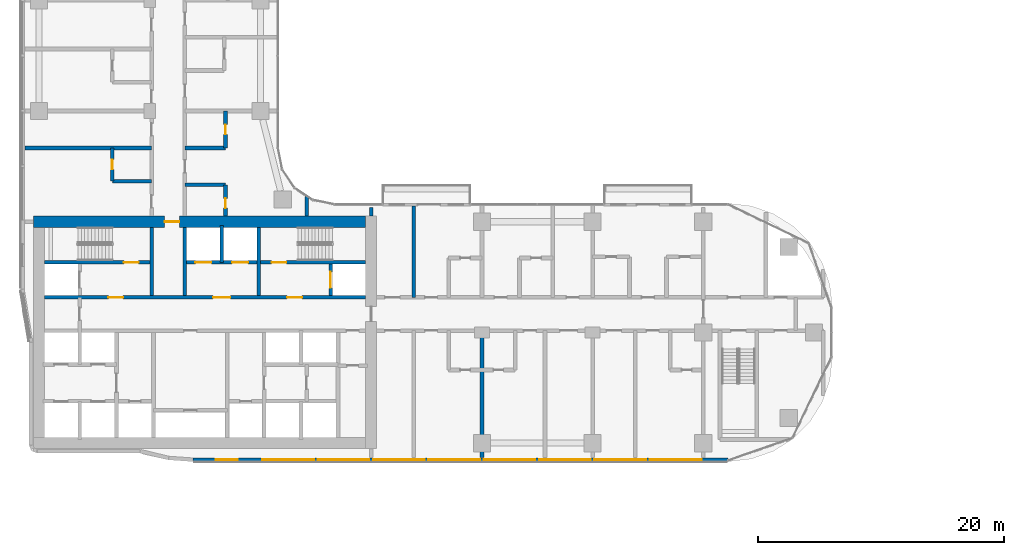
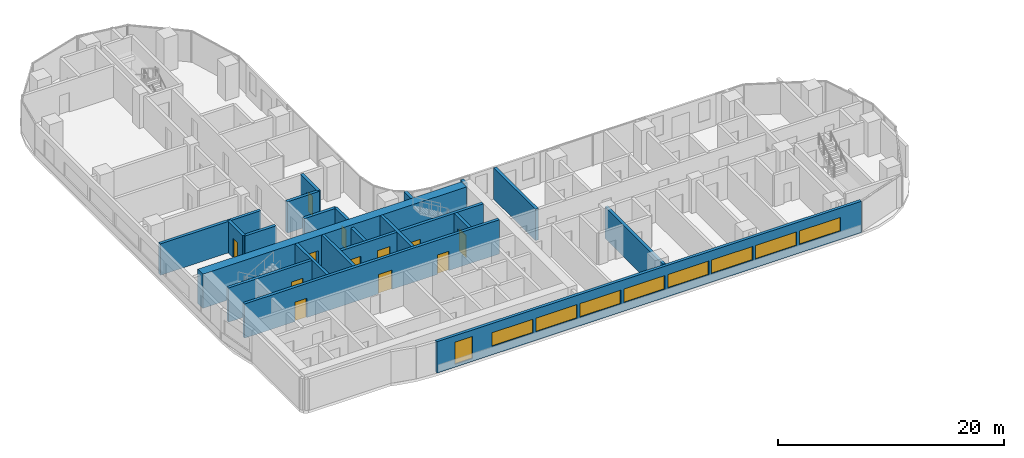
# One storey, part 15 of 31: 21 walls, 12 doors, 9 windows, 21 openings.
"""IFC4 building model written with IfcOpenShell, lengths in metres."""

from ifc_helpers import new_model, si_unit, direction, frame, frame_2d, origin, place, context, subcontext, project, spatial, rectangle, extrude, material, layer, layer_set, type_object, element, fill, save


model = new_model("IFC4")

# Units and contexts
model_context = context("Model", 3, precision=1e-05, world=origin(), true_north=direction((0.0, 1.0)))
body_context = subcontext(model_context, "Body", "Model", "MODEL_VIEW")
ifc_project = project(units=[si_unit("LENGTHUNIT", "METRE"), si_unit("AREAUNIT", "SQUARE_METRE"), si_unit("VOLUMEUNIT", "CUBIC_METRE"), si_unit("PLANEANGLEUNIT", "RADIAN"), si_unit("MASSUNIT", "GRAM", prefix="KILO")], contexts=[model_context])

# Site, building, storey
site_placement = place(None, origin())
site = spatial("IfcSite", under=ifc_project, at=site_placement, CompositionType="ELEMENT")
building_placement = place(site_placement, origin())
building = spatial("IfcBuilding", under=site, at=building_placement, Name="Ogive Portal Towers", CompositionType="ELEMENT")
storey_placement = place(building_placement, frame((0.0, 0.0, 74.199951171875)))
storey = spatial("IfcBuildingStorey", under=building, at=storey_placement, Name="L17", CompositionType="ELEMENT", Elevation=74.199951171875)

# Wall, openings, doors
ifc_material_1 = material(Name="Concrete C60/75", Category="concrete")
ifc_layer_1 = layer(ifc_material_1, 0.300048828125)
ifc_layer_set_1 = layer_set([ifc_layer_1], Name="CORE WALL 300 C60")
wall_type_1 = type_object("IfcWallType", Name="CORE WALL 300 C60", PredefinedType="SHEAR", material=ifc_layer_set_1)
wall_1_placement = place(storey_placement, frame((31.949951171875, 33.35009765625, 0.0), z_axis=(0.0, 0.0, 1.0), x_axis=(1.0, 0.0, 0.0)))
wall_1 = element("IfcWall", 1, at=wall_1_placement, inside=storey, type_object=wall_type_1, Name="Core wall Y2 L17", PredefinedType="SHEAR", context=body_context, shape_type="SweptSolid", body=[
    extrude(rectangle(XDim=26.10009765625, YDim=0.300048828125, at=frame_2d((13.050048828125, 0.0))), origin(), (0.0, 0.0, 1.0), 3.699951171875),
])
opening_1_placement = place(wall_1_placement, frame((13.699951171875, 0.0, 0.0)))
opening_1 = element("IfcOpeningElement", 2, at=opening_1_placement, cuts=wall_1, Name="Opening D05-002", PredefinedType="OPENING", context=body_context, shape_type="SweptSolid", body=[
    extrude(rectangle(XDim=1.39990234375, YDim=2.10009765625, at=frame_2d((0.699951171875, 1.050048828125))), frame((0.0, 0.16015625, 0.0), z_axis=(0.0, -1.0, 0.0), x_axis=(1.0, 0.0, 0.0)), (0.0, 0.0, 1.0), 0.320068359375),
])
opening_2_placement = place(wall_1_placement, frame((5.175048828125, 0.0, 0.0)))
opening_2 = element("IfcOpeningElement", 3, at=opening_2_placement, cuts=wall_1, Name="Opening D05-003", PredefinedType="OPENING", context=body_context, shape_type="SweptSolid", body=[
    extrude(rectangle(XDim=1.199951171875, YDim=2.10009765625, at=frame_2d((0.60009765625, 1.050048828125))), frame((0.0, 0.16015625, 0.0), z_axis=(0.0, -1.0, 0.0), x_axis=(1.0, 0.0, 0.0)), (0.0, 0.0, 1.0), 0.320068359375),
])
opening_3_placement = place(wall_1_placement, frame((19.72509765625, 0.0, 0.0)))
opening_3 = element("IfcOpeningElement", 4, at=opening_3_placement, cuts=wall_1, Name="Opening D05-004", PredefinedType="OPENING", context=body_context, shape_type="SweptSolid", body=[
    extrude(rectangle(XDim=1.199951171875, YDim=2.10009765625, at=frame_2d((0.60009765625, 1.050048828125))), frame((0.0, 0.16015625, 0.0), z_axis=(0.0, -1.0, 0.0), x_axis=(1.0, 0.0, 0.0)), (0.0, 0.0, 1.0), 0.320068359375),
])
ifc_material_2 = material(Name="Steel fire door", Category="steel")
door_type_1 = type_object("IfcDoorType", Name="DT-SWING-1200x2100-FD90S", OperationType="SINGLE_SWING_LEFT", PredefinedType="DOOR", material=ifc_material_2)
door_1_placement = place(opening_2_placement, origin())
door_1 = element("IfcDoor", 5, at=door_1_placement, inside=storey, type_object=door_type_1, Name="Door D05-003", OperationType="SINGLE_SWING_LEFT", OverallHeight=2.10009765625, OverallWidth=1.199951171875, PredefinedType="DOOR", context=body_context, shape_type="SweptSolid", body=[
    extrude(rectangle(XDim=1.199951171875, YDim=2.10009765625, at=frame_2d((0.60009765625, 1.050048828125))), frame((0.0, 0.02490234375, 0.0), z_axis=(0.0, -1.0, 0.0), x_axis=(1.0, 0.0, 0.0)), (0.0, 0.0, 1.0), 0.050048828125),
])
fill(opening_2, door_1)
door_2_placement = place(opening_3_placement, origin())
door_2 = element("IfcDoor", 6, at=door_2_placement, inside=storey, type_object=door_type_1, Name="Door D05-004", OperationType="SINGLE_SWING_RIGHT", OverallHeight=2.10009765625, OverallWidth=1.199951171875, PredefinedType="DOOR", context=body_context, shape_type="SweptSolid", body=[
    extrude(rectangle(XDim=1.199951171875, YDim=2.10009765625, at=frame_2d((0.60009765625, 1.050048828125))), frame((0.0, 0.02490234375, 0.0), z_axis=(0.0, -1.0, 0.0), x_axis=(1.0, 0.0, 0.0)), (0.0, 0.0, 1.0), 0.050048828125),
])
fill(opening_3, door_2)
door_type_2 = type_object("IfcDoorType", Name="DT-SWING-1400x2100-FD90S", OperationType="SINGLE_SWING_LEFT", PredefinedType="DOOR", material=ifc_material_2)
door_3_placement = place(opening_1_placement, origin())
door_3 = element("IfcDoor", 7, at=door_3_placement, inside=storey, type_object=door_type_2, Name="Door D05-002", OperationType="SINGLE_SWING_RIGHT", OverallHeight=2.10009765625, OverallWidth=1.39990234375, PredefinedType="DOOR", context=body_context, shape_type="SweptSolid", body=[
    extrude(rectangle(XDim=1.39990234375, YDim=2.10009765625, at=frame_2d((0.699951171875, 1.050048828125))), frame((0.0, 0.02490234375, 0.0), z_axis=(0.0, -1.0, 0.0), x_axis=(1.0, 0.0, 0.0)), (0.0, 0.0, 1.0), 0.050048828125),
])
fill(opening_1, door_3)

# Wall, opening, door
wall_2_placement = place(storey_placement, frame((31.949951171875, 36.199951171875, 0.0), z_axis=(0.0, 0.0, 1.0), x_axis=(1.0, 0.0, 0.0)))
wall_2 = element("IfcWall", 8, at=wall_2_placement, inside=storey, type_object=wall_type_1, Name="Core wall Y3a L17", PredefinedType="SHEAR", context=body_context, shape_type="SweptSolid", body=[
    extrude(rectangle(XDim=8.550048828125, YDim=0.300048828125, at=frame_2d((4.27490234375, 0.0))), origin(), (0.0, 0.0, 1.0), 3.699951171875),
])
opening_4_placement = place(wall_2_placement, frame((6.449951171875, 0.0, 0.0)))
opening_4 = element("IfcOpeningElement", 9, at=opening_4_placement, cuts=wall_2, Name="Opening D05-005", PredefinedType="OPENING", context=body_context, shape_type="SweptSolid", body=[
    extrude(rectangle(XDim=1.199951171875, YDim=2.10009765625, at=frame_2d((0.60009765625, 1.050048828125))), frame((0.0, 0.16015625, 0.0), z_axis=(0.0, -1.0, 0.0), x_axis=(1.0, 0.0, 0.0)), (0.0, 0.0, 1.0), 0.320068359375),
])
door_4_placement = place(opening_4_placement, origin())
door_4 = element("IfcDoor", 10, at=door_4_placement, inside=storey, type_object=door_type_1, Name="Door D05-005", OperationType="SINGLE_SWING_RIGHT", OverallHeight=2.10009765625, OverallWidth=1.199951171875, PredefinedType="DOOR", context=body_context, shape_type="SweptSolid", body=[
    extrude(rectangle(XDim=1.199951171875, YDim=2.10009765625, at=frame_2d((0.60009765625, 1.050048828125))), frame((0.0, 0.02490234375, 0.0), z_axis=(0.0, -1.0, 0.0), x_axis=(1.0, 0.0, 0.0)), (0.0, 0.0, 1.0), 0.050048828125),
])
fill(opening_4, door_4)

# Wall, openings, doors
wall_3_placement = place(storey_placement, frame((43.5, 36.199951171875, 0.0), z_axis=(0.0, 0.0, 1.0), x_axis=(1.0, 0.0, 0.0)))
wall_3 = element("IfcWall", 11, at=wall_3_placement, inside=storey, type_object=wall_type_1, Name="Core wall Y3b L17", PredefinedType="SHEAR", context=body_context, shape_type="SweptSolid", body=[
    extrude(rectangle(XDim=14.550048828125, YDim=0.300048828125, at=frame_2d((7.27490234375, 0.0))), origin(), (0.0, 0.0, 1.0), 3.699951171875),
])
opening_5_placement = place(wall_3_placement, frame((6.89990234375, 0.0, 0.0)))
opening_5 = element("IfcOpeningElement", 12, at=opening_5_placement, cuts=wall_3, Name="Opening D05-006", PredefinedType="OPENING", context=body_context, shape_type="SweptSolid", body=[
    extrude(rectangle(XDim=1.199951171875, YDim=2.10009765625, at=frame_2d((0.60009765625, 1.050048828125))), frame((0.0, 0.16015625, 0.0), z_axis=(0.0, -1.0, 0.0), x_axis=(1.0, 0.0, 0.0)), (0.0, 0.0, 1.0), 0.320068359375),
])
opening_6_placement = place(wall_3_placement, frame((0.699951171875, 0.0, 0.0)))
opening_6 = element("IfcOpeningElement", 13, at=opening_6_placement, cuts=wall_3, Name="Opening D05-017", PredefinedType="OPENING", context=body_context, shape_type="SweptSolid", body=[
    extrude(rectangle(XDim=1.300048828125, YDim=2.39990234375, at=frame_2d((0.64990234375, 1.199951171875))), frame((0.0, 0.16015625, 0.0), z_axis=(0.0, -1.0, 0.0), x_axis=(1.0, 0.0, 0.0)), (0.0, 0.0, 1.0), 0.320068359375),
])
opening_7_placement = place(wall_3_placement, frame((3.699951171875, 0.0, 0.0)))
opening_7 = element("IfcOpeningElement", 14, at=opening_7_placement, cuts=wall_3, Name="Opening D05-018", PredefinedType="OPENING", context=body_context, shape_type="SweptSolid", body=[
    extrude(rectangle(XDim=1.300048828125, YDim=2.39990234375, at=frame_2d((0.64990234375, 1.199951171875))), frame((0.0, 0.16015625, 0.0), z_axis=(0.0, -1.0, 0.0), x_axis=(1.0, 0.0, 0.0)), (0.0, 0.0, 1.0), 0.320068359375),
])
ifc_material_3 = material(Name="Stainless steel", Category="steel")
door_type_3 = type_object("IfcDoorType", Name="DT-LD-1300x2400", OperationType="SLIDING_TO_LEFT", PredefinedType="DOOR", material=ifc_material_3)
door_5_placement = place(opening_6_placement, origin())
door_5 = element("IfcDoor", 15, at=door_5_placement, inside=storey, type_object=door_type_3, Name="Door D05-017", OperationType="SLIDING_TO_LEFT", OverallHeight=2.39990234375, OverallWidth=1.300048828125, PredefinedType="DOOR", context=body_context, shape_type="SweptSolid", body=[
    extrude(rectangle(XDim=1.300048828125, YDim=2.39990234375, at=frame_2d((0.64990234375, 1.199951171875))), frame((0.0, 0.02490234375, 0.0), z_axis=(0.0, -1.0, 0.0), x_axis=(1.0, 0.0, 0.0)), (0.0, 0.0, 1.0), 0.050048828125),
])
fill(opening_6, door_5)
door_6_placement = place(opening_7_placement, origin())
door_6 = element("IfcDoor", 16, at=door_6_placement, inside=storey, type_object=door_type_3, Name="Door D05-018", OperationType="SLIDING_TO_LEFT", OverallHeight=2.39990234375, OverallWidth=1.300048828125, PredefinedType="DOOR", context=body_context, shape_type="SweptSolid", body=[
    extrude(rectangle(XDim=1.300048828125, YDim=2.39990234375, at=frame_2d((0.64990234375, 1.199951171875))), frame((0.0, 0.02490234375, 0.0), z_axis=(0.0, -1.0, 0.0), x_axis=(1.0, 0.0, 0.0)), (0.0, 0.0, 1.0), 0.050048828125),
])
fill(opening_7, door_6)
door_7_placement = place(opening_5_placement, origin())
door_7 = element("IfcDoor", 17, at=door_7_placement, inside=storey, type_object=door_type_1, Name="Door D05-006", OperationType="SINGLE_SWING_LEFT", OverallHeight=2.10009765625, OverallWidth=1.199951171875, PredefinedType="DOOR", context=body_context, shape_type="SweptSolid", body=[
    extrude(rectangle(XDim=1.199951171875, YDim=2.10009765625, at=frame_2d((0.60009765625, 1.050048828125))), frame((0.0, 0.02490234375, 0.0), z_axis=(0.0, -1.0, 0.0), x_axis=(1.0, 0.0, 0.0)), (0.0, 0.0, 1.0), 0.050048828125),
])
fill(opening_5, door_7)

# Walls
for number, where, z_axis, x_axis, name in (
    (18, (40.64990234375, 33.5, 0.0), (0.0, 0.0, 1.0), (0.0, 1.0, 0.0), "Core wall X6 L17"),
    (19, (43.35009765625, 33.5, 0.0), (0.0, 0.0, 1.0), (0.0, 1.0, 0.0), "Core wall X7 L17"),
    (20, (49.35009765625, 33.5, 0.0), (0.0, 0.0, 1.0), (0.0, 1.0, 0.0), "Core wall X9 L17"),
):
    element("IfcWall", number, at=place(storey_placement, frame(where, z_axis=z_axis, x_axis=x_axis)), inside=storey, type_object=wall_type_1, Name=name, PredefinedType="SHEAR", context=body_context, shape_type="SweptSolid", body=[
        extrude(rectangle(XDim=5.550048828125, YDim=0.300048828125, at=frame_2d((2.77490234375, 0.0))), origin(), (0.0, 0.0, 1.0), 3.699951171875),
    ])

# Wall, opening, door
wall_4_placement = place(storey_placement, frame((55.199951171875, 33.5, 0.0), z_axis=(0.0, 0.0, 1.0), x_axis=(0.0, 1.0, 0.0)))
wall_4 = element("IfcWall", 21, at=wall_4_placement, inside=storey, type_object=wall_type_1, Name="Core wall X10 L17", PredefinedType="SHEAR", context=body_context, shape_type="SweptSolid", body=[
    extrude(rectangle(XDim=2.550048828125, YDim=0.300048828125, at=frame_2d((1.27490234375, 0.0))), origin(), (0.0, 0.0, 1.0), 3.699951171875),
])
opening_8_placement = place(wall_4_placement, frame((0.625, 0.0, 0.0)))
opening_8 = element("IfcOpeningElement", 22, at=opening_8_placement, cuts=wall_4, Name="Opening D05-020", PredefinedType="OPENING", context=body_context, shape_type="SweptSolid", body=[
    extrude(rectangle(XDim=1.300048828125, YDim=2.39990234375, at=frame_2d((0.64990234375, 1.199951171875))), frame((0.0, 0.16015625, 0.0), z_axis=(0.0, -1.0, 0.0), x_axis=(1.0, 0.0, 0.0)), (0.0, 0.0, 1.0), 0.320068359375),
])
door_8_placement = place(opening_8_placement, origin())
door_8 = element("IfcDoor", 23, at=door_8_placement, inside=storey, type_object=door_type_3, Name="Door D05-020", OperationType="SLIDING_TO_LEFT", OverallHeight=2.39990234375, OverallWidth=1.300048828125, PredefinedType="DOOR", context=body_context, shape_type="SweptSolid", body=[
    extrude(rectangle(XDim=1.300048828125, YDim=2.39990234375, at=frame_2d((0.64990234375, 1.199951171875))), frame((0.0, 0.02490234375, 0.0), z_axis=(0.0, -1.0, 0.0), x_axis=(1.0, 0.0, 0.0)), (0.0, 0.0, 1.0), 0.050048828125),
])
fill(opening_8, door_8)

ifc_layer_2 = layer(ifc_material_1, 0.89990234375)
ifc_layer_set_2 = layer_set([ifc_layer_2], Name="CORE WALL 900 C60")
wall_type_2 = type_object("IfcWallType", Name="CORE WALL 900 C60", PredefinedType="SHEAR", material=ifc_layer_set_2)
wall_5_placement = place(storey_placement, frame((31.050048828125, 39.5, 0.0), z_axis=(0.0, 0.0, 1.0), x_axis=(1.0, 0.0, 0.0)))
wall_5 = element("IfcWall", 24, at=wall_5_placement, inside=storey, type_object=wall_type_2, Name="Core wall N L17", PredefinedType="SHEAR", context=body_context, shape_type="SweptSolid", body=[
    extrude(rectangle(XDim=27.0, YDim=0.89990234375, at=frame_2d((13.5, 0.0))), origin(), (0.0, 0.0, 1.0), 3.699951171875),
])
opening_9_placement = place(wall_5_placement, frame((10.64990234375, 0.0, 0.0)))
opening_9 = element("IfcOpeningElement", 25, at=opening_9_placement, cuts=wall_5, Name="Opening D05-012", PredefinedType="OPENING", context=body_context, shape_type="SweptSolid", body=[
    extrude(rectangle(XDim=1.199951171875, YDim=2.10009765625, at=frame_2d((0.60009765625, 1.050048828125))), frame((0.0, 0.4599609375, 0.0), z_axis=(0.0, -1.0, 0.0), x_axis=(1.0, 0.0, 0.0)), (0.0, 0.0, 1.0), 0.919921875),
])
door_9_placement = place(opening_9_placement, origin())
door_9 = element("IfcDoor", 26, at=door_9_placement, inside=storey, type_object=door_type_1, Name="Door D05-012", OperationType="SINGLE_SWING_RIGHT", OverallHeight=2.10009765625, OverallWidth=1.199951171875, PredefinedType="DOOR", context=body_context, shape_type="SweptSolid", body=[
    extrude(rectangle(XDim=1.199951171875, YDim=2.10009765625, at=frame_2d((0.60009765625, 1.050048828125))), frame((0.0, 0.02490234375, 0.0), z_axis=(0.0, -1.0, 0.0), x_axis=(1.0, 0.0, 0.0)), (0.0, 0.0, 1.0), 0.050048828125),
])
fill(opening_9, door_9)

# Wall, openings, windows
ifc_material_4 = material(Name="Limestone cladding on lightweight block wall", Category="masonry")
ifc_layer_3 = layer(ifc_material_4, 0.300048828125)
ifc_layer_set_3 = layer_set([ifc_layer_3], Name="EXTERNAL WALL 300 STONE")
wall_type_3 = type_object("IfcWallType", Name="EXTERNAL WALL 300 STONE", PredefinedType="SOLIDWALL", material=ifc_layer_set_3)
wall_6_placement = place(storey_placement, frame((44.0107421875, 20.14990234375, 0.0), z_axis=(0.0, 0.0, 1.0), x_axis=(1.0, 0.0, 0.0)))
wall_6 = element("IfcWall", 27, at=wall_6_placement, inside=storey, type_object=wall_type_3, Name="A:L17:f06:r0:wall", PredefinedType="SOLIDWALL", context=body_context, shape_type="SweptSolid", body=[
    extrude(rectangle(XDim=43.4755859375, YDim=0.300048828125, at=frame_2d((21.73779296875, 0.0))), origin(), (0.0, 0.0, 1.0), 3.400146484375),
])
opening_10_placement = place(wall_6_placement, frame((1.8447265625, 0.0, 0.300048828125)))
opening_10 = element("IfcOpeningElement", 28, at=opening_10_placement, cuts=wall_6, Name="Opening WN10", PredefinedType="OPENING", context=body_context, shape_type="SweptSolid", body=[
    extrude(rectangle(XDim=1.800048828125, YDim=2.39990234375, at=frame_2d((0.89990234375, 1.199951171875))), frame((0.0, 0.16015625, 0.0), z_axis=(0.0, -1.0, 0.0), x_axis=(1.0, 0.0, 0.0)), (0.0, 0.0, 1.0), 0.320068359375),
])
opening_11_placement = place(wall_6_placement, frame((5.639404296875, 0.0, 0.89990234375)))
opening_11 = element("IfcOpeningElement", 29, at=opening_11_placement, cuts=wall_6, Name="Opening WN11", PredefinedType="OPENING", context=body_context, shape_type="SweptSolid", body=[
    extrude(rectangle(XDim=4.199951171875, YDim=1.5, at=frame_2d((2.10009765625, 0.75))), frame((0.0, 0.16015625, 0.0), z_axis=(0.0, -1.0, 0.0), x_axis=(1.0, 0.0, 0.0)), (0.0, 0.0, 1.0), 0.320068359375),
])
opening_12_placement = place(wall_6_placement, frame((10.139404296875, 0.0, 0.89990234375)))
opening_12 = element("IfcOpeningElement", 30, at=opening_12_placement, cuts=wall_6, Name="Opening WN11", PredefinedType="OPENING", context=body_context, shape_type="SweptSolid", body=[
    extrude(rectangle(XDim=4.199951171875, YDim=1.5, at=frame_2d((2.10009765625, 0.75))), frame((0.0, 0.16015625, 0.0), z_axis=(0.0, -1.0, 0.0), x_axis=(1.0, 0.0, 0.0)), (0.0, 0.0, 1.0), 0.320068359375),
])
opening_13_placement = place(wall_6_placement, frame((14.639404296875, 0.0, 0.89990234375)))
opening_13 = element("IfcOpeningElement", 31, at=opening_13_placement, cuts=wall_6, Name="Opening WN11", PredefinedType="OPENING", context=body_context, shape_type="SweptSolid", body=[
    extrude(rectangle(XDim=4.199951171875, YDim=1.5, at=frame_2d((2.10009765625, 0.75))), frame((0.0, 0.16015625, 0.0), z_axis=(0.0, -1.0, 0.0), x_axis=(1.0, 0.0, 0.0)), (0.0, 0.0, 1.0), 0.320068359375),
])
opening_14_placement = place(wall_6_placement, frame((19.139404296875, 0.0, 0.89990234375)))
opening_14 = element("IfcOpeningElement", 32, at=opening_14_placement, cuts=wall_6, Name="Opening WN11", PredefinedType="OPENING", context=body_context, shape_type="SweptSolid", body=[
    extrude(rectangle(XDim=4.199951171875, YDim=1.5, at=frame_2d((2.10009765625, 0.75))), frame((0.0, 0.16015625, 0.0), z_axis=(0.0, -1.0, 0.0), x_axis=(1.0, 0.0, 0.0)), (0.0, 0.0, 1.0), 0.320068359375),
])
opening_15_placement = place(wall_6_placement, frame((23.639404296875, 0.0, 0.89990234375)))
opening_15 = element("IfcOpeningElement", 33, at=opening_15_placement, cuts=wall_6, Name="Opening WN11", PredefinedType="OPENING", context=body_context, shape_type="SweptSolid", body=[
    extrude(rectangle(XDim=4.199951171875, YDim=1.5, at=frame_2d((2.10009765625, 0.75))), frame((0.0, 0.16015625, 0.0), z_axis=(0.0, -1.0, 0.0), x_axis=(1.0, 0.0, 0.0)), (0.0, 0.0, 1.0), 0.320068359375),
])
opening_16_placement = place(wall_6_placement, frame((28.139404296875, 0.0, 0.89990234375)))
opening_16 = element("IfcOpeningElement", 34, at=opening_16_placement, cuts=wall_6, Name="Opening WN11", PredefinedType="OPENING", context=body_context, shape_type="SweptSolid", body=[
    extrude(rectangle(XDim=4.199951171875, YDim=1.5, at=frame_2d((2.10009765625, 0.75))), frame((0.0, 0.16015625, 0.0), z_axis=(0.0, -1.0, 0.0), x_axis=(1.0, 0.0, 0.0)), (0.0, 0.0, 1.0), 0.320068359375),
])
opening_17_placement = place(wall_6_placement, frame((32.639404296875, 0.0, 0.89990234375)))
opening_17 = element("IfcOpeningElement", 35, at=opening_17_placement, cuts=wall_6, Name="Opening WN11", PredefinedType="OPENING", context=body_context, shape_type="SweptSolid", body=[
    extrude(rectangle(XDim=4.199951171875, YDim=1.5, at=frame_2d((2.10009765625, 0.75))), frame((0.0, 0.16015625, 0.0), z_axis=(0.0, -1.0, 0.0), x_axis=(1.0, 0.0, 0.0)), (0.0, 0.0, 1.0), 0.320068359375),
])
opening_18_placement = place(wall_6_placement, frame((37.139404296875, 0.0, 0.89990234375)))
opening_18 = element("IfcOpeningElement", 36, at=opening_18_placement, cuts=wall_6, Name="Opening WN11", PredefinedType="OPENING", context=body_context, shape_type="SweptSolid", body=[
    extrude(rectangle(XDim=4.199951171875, YDim=1.5, at=frame_2d((2.10009765625, 0.75))), frame((0.0, 0.16015625, 0.0), z_axis=(0.0, -1.0, 0.0), x_axis=(1.0, 0.0, 0.0)), (0.0, 0.0, 1.0), 0.320068359375),
])
ifc_material_5 = material(Name="Glass, clear low-iron insulated glazing", Category="glass")
window_type_1 = type_object("IfcWindowType", Name="WINDOW RIBBON 4200x1500", PartitioningType="TRIPLE_PANEL_VERTICAL", PredefinedType="WINDOW", material=ifc_material_5)
window_1_placement = place(opening_11_placement, origin())
window_1 = element("IfcWindow", 37, at=window_1_placement, inside=storey, type_object=window_type_1, Name="A:L17:f06:r0:w1", OverallHeight=1.5, OverallWidth=4.199951171875, PartitioningType="SINGLE_PANEL", PredefinedType="WINDOW", context=body_context, shape_type="SweptSolid", body=[
    extrude(rectangle(XDim=4.199951171875, YDim=1.5, at=frame_2d((2.10009765625, 0.75))), frame((0.0, 0.030029296875, 0.0), z_axis=(0.0, -1.0, 0.0), x_axis=(1.0, 0.0, 0.0)), (0.0, 0.0, 1.0), 0.06005859375),
])
fill(opening_11, window_1)
window_2_placement = place(opening_12_placement, origin())
window_2 = element("IfcWindow", 38, at=window_2_placement, inside=storey, type_object=window_type_1, Name="A:L17:f06:r0:w2", OverallHeight=1.5, OverallWidth=4.199951171875, PartitioningType="SINGLE_PANEL", PredefinedType="WINDOW", context=body_context, shape_type="SweptSolid", body=[
    extrude(rectangle(XDim=4.199951171875, YDim=1.5, at=frame_2d((2.10009765625, 0.75))), frame((0.0, 0.030029296875, 0.0), z_axis=(0.0, -1.0, 0.0), x_axis=(1.0, 0.0, 0.0)), (0.0, 0.0, 1.0), 0.06005859375),
])
fill(opening_12, window_2)
window_3_placement = place(opening_13_placement, origin())
window_3 = element("IfcWindow", 39, at=window_3_placement, inside=storey, type_object=window_type_1, Name="A:L17:f06:r0:w3", OverallHeight=1.5, OverallWidth=4.199951171875, PartitioningType="SINGLE_PANEL", PredefinedType="WINDOW", context=body_context, shape_type="SweptSolid", body=[
    extrude(rectangle(XDim=4.199951171875, YDim=1.5, at=frame_2d((2.10009765625, 0.75))), frame((0.0, 0.030029296875, 0.0), z_axis=(0.0, -1.0, 0.0), x_axis=(1.0, 0.0, 0.0)), (0.0, 0.0, 1.0), 0.06005859375),
])
fill(opening_13, window_3)
window_4_placement = place(opening_14_placement, origin())
window_4 = element("IfcWindow", 40, at=window_4_placement, inside=storey, type_object=window_type_1, Name="A:L17:f06:r0:w4", OverallHeight=1.5, OverallWidth=4.199951171875, PartitioningType="SINGLE_PANEL", PredefinedType="WINDOW", context=body_context, shape_type="SweptSolid", body=[
    extrude(rectangle(XDim=4.199951171875, YDim=1.5, at=frame_2d((2.10009765625, 0.75))), frame((0.0, 0.030029296875, 0.0), z_axis=(0.0, -1.0, 0.0), x_axis=(1.0, 0.0, 0.0)), (0.0, 0.0, 1.0), 0.06005859375),
])
fill(opening_14, window_4)
window_5_placement = place(opening_15_placement, origin())
window_5 = element("IfcWindow", 41, at=window_5_placement, inside=storey, type_object=window_type_1, Name="A:L17:f06:r0:w5", OverallHeight=1.5, OverallWidth=4.199951171875, PartitioningType="SINGLE_PANEL", PredefinedType="WINDOW", context=body_context, shape_type="SweptSolid", body=[
    extrude(rectangle(XDim=4.199951171875, YDim=1.5, at=frame_2d((2.10009765625, 0.75))), frame((0.0, 0.030029296875, 0.0), z_axis=(0.0, -1.0, 0.0), x_axis=(1.0, 0.0, 0.0)), (0.0, 0.0, 1.0), 0.06005859375),
])
fill(opening_15, window_5)
window_6_placement = place(opening_16_placement, origin())
window_6 = element("IfcWindow", 42, at=window_6_placement, inside=storey, type_object=window_type_1, Name="A:L17:f06:r0:w6", OverallHeight=1.5, OverallWidth=4.199951171875, PartitioningType="SINGLE_PANEL", PredefinedType="WINDOW", context=body_context, shape_type="SweptSolid", body=[
    extrude(rectangle(XDim=4.199951171875, YDim=1.5, at=frame_2d((2.10009765625, 0.75))), frame((0.0, 0.030029296875, 0.0), z_axis=(0.0, -1.0, 0.0), x_axis=(1.0, 0.0, 0.0)), (0.0, 0.0, 1.0), 0.06005859375),
])
fill(opening_16, window_6)
window_7_placement = place(opening_17_placement, origin())
window_7 = element("IfcWindow", 43, at=window_7_placement, inside=storey, type_object=window_type_1, Name="A:L17:f06:r0:w7", OverallHeight=1.5, OverallWidth=4.199951171875, PartitioningType="SINGLE_PANEL", PredefinedType="WINDOW", context=body_context, shape_type="SweptSolid", body=[
    extrude(rectangle(XDim=4.199951171875, YDim=1.5, at=frame_2d((2.10009765625, 0.75))), frame((0.0, 0.030029296875, 0.0), z_axis=(0.0, -1.0, 0.0), x_axis=(1.0, 0.0, 0.0)), (0.0, 0.0, 1.0), 0.06005859375),
])
fill(opening_17, window_7)
window_8_placement = place(opening_18_placement, origin())
window_8 = element("IfcWindow", 44, at=window_8_placement, inside=storey, type_object=window_type_1, Name="A:L17:f06:r0:w8", OverallHeight=1.5, OverallWidth=4.199951171875, PartitioningType="SINGLE_PANEL", PredefinedType="WINDOW", context=body_context, shape_type="SweptSolid", body=[
    extrude(rectangle(XDim=4.199951171875, YDim=1.5, at=frame_2d((2.10009765625, 0.75))), frame((0.0, 0.030029296875, 0.0), z_axis=(0.0, -1.0, 0.0), x_axis=(1.0, 0.0, 0.0)), (0.0, 0.0, 1.0), 0.06005859375),
])
fill(opening_18, window_8)
window_type_2 = type_object("IfcWindowType", Name="WINDOW SUITE CORNER 1800x2400", PartitioningType="DOUBLE_PANEL_VERTICAL", PredefinedType="WINDOW", material=ifc_material_5)
window_9_placement = place(opening_10_placement, origin())
window_9 = element("IfcWindow", 45, at=window_9_placement, inside=storey, type_object=window_type_2, Name="A:L17:f06:r0:w0", OverallHeight=2.39990234375, OverallWidth=1.800048828125, PartitioningType="SINGLE_PANEL", PredefinedType="WINDOW", context=body_context, shape_type="SweptSolid", body=[
    extrude(rectangle(XDim=1.800048828125, YDim=2.39990234375, at=frame_2d((0.89990234375, 1.199951171875))), frame((0.0, 0.030029296875, 0.0), z_axis=(0.0, -1.0, 0.0), x_axis=(1.0, 0.0, 0.0)), (0.0, 0.0, 1.0), 0.06005859375),
])
fill(opening_10, window_9)

# Walls
ifc_material_6 = material(Name="Gypsum board partition on steel studs", Category="steel")
ifc_layer_4 = layer(ifc_material_6, 0.300048828125)
ifc_layer_set_4 = layer_set([ifc_layer_4], Name="WT-PART-300-EI 60")
wall_type_4 = type_object("IfcWallType", Name="WT-PART-300-EI 60", PredefinedType="PARTITIONING", material=ifc_layer_set_4)
wall_7_placement = place(storey_placement, frame((43.35009765625, 42.5, 0.0), z_axis=(0.0, 0.0, 1.0), x_axis=(1.0, 0.0, 0.0)))
element("IfcWall", 46, at=wall_7_placement, inside=storey, type_object=wall_type_4, Name="Wall L17:w013", PredefinedType="PARTITIONING", context=body_context, shape_type="SweptSolid", body=[
    extrude(rectangle(XDim=3.2998046875, YDim=0.300048828125, at=frame_2d((1.64990234375, 0.0))), origin(), (0.0, 0.0, 1.0), 3.400146484375),
])
wall_8_placement = place(storey_placement, frame((37.449951171875, 42.800048828125, 0.0), z_axis=(0.0, 0.0, 1.0), x_axis=(1.0, 0.0, 0.0)))
element("IfcWall", 47, at=wall_8_placement, inside=storey, type_object=wall_type_4, Name="Wall L17:w014", PredefinedType="PARTITIONING", context=body_context, shape_type="SweptSolid", body=[
    extrude(rectangle(XDim=3.199951171875, YDim=0.300048828125, at=frame_2d((1.60009765625, 0.0))), origin(), (0.0, 0.0, 1.0), 3.400146484375),
])
wall_9_placement = place(storey_placement, frame((30.35009765625, 45.5, 0.0), z_axis=(0.0, 0.0, 1.0), x_axis=(1.0, 0.0, 0.0)))
element("IfcWall", 48, at=wall_9_placement, inside=storey, type_object=wall_type_4, Name="Wall L17:w015", PredefinedType="PARTITIONING", context=body_context, shape_type="SweptSolid", body=[
    extrude(rectangle(XDim=10.2998046875, YDim=0.300048828125, at=frame_2d((5.14990234375, 0.0))), origin(), (0.0, 0.0, 1.0), 3.400146484375),
])
wall_10_placement = place(storey_placement, frame((43.35009765625, 45.5, 0.0), z_axis=(0.0, 0.0, 1.0), x_axis=(1.0, 0.0, 0.0)))
element("IfcWall", 49, at=wall_10_placement, inside=storey, type_object=wall_type_4, Name="Wall L17:w016", PredefinedType="PARTITIONING", context=body_context, shape_type="SweptSolid", body=[
    extrude(rectangle(XDim=3.2998046875, YDim=0.300048828125, at=frame_2d((1.64990234375, 0.0))), origin(), (0.0, 0.0, 1.0), 3.400146484375),
])

# Wall, opening, door
wall_11_placement = place(storey_placement, frame((37.449951171875, 42.800048828125, 0.0), z_axis=(0.0, 0.0, 1.0), x_axis=(0.0, 1.0, 0.0)))
wall_11 = element("IfcWall", 50, at=wall_11_placement, inside=storey, type_object=wall_type_4, Name="Wall L17:w031", PredefinedType="PARTITIONING", context=body_context, shape_type="SweptSolid", body=[
    extrude(rectangle(XDim=2.699951171875, YDim=0.300048828125, at=frame_2d((1.35009765625, 0.0))), origin(), (0.0, 0.0, 1.0), 3.400146484375),
])
opening_19_placement = place(wall_11_placement, frame((0.949951171875, 0.0, 0.0)))
opening_19 = element("IfcOpeningElement", 51, at=opening_19_placement, cuts=wall_11, Name="Opening D05-047", PredefinedType="OPENING", context=body_context, shape_type="SweptSolid", body=[
    extrude(rectangle(XDim=0.800048828125, YDim=2.10009765625, at=frame_2d((0.39990234375, 1.050048828125))), frame((0.0, 0.16015625, 0.0), z_axis=(0.0, -1.0, 0.0), x_axis=(1.0, 0.0, 0.0)), (0.0, 0.0, 1.0), 0.320068359375),
])
door_type_4 = type_object("IfcDoorType", Name="DT-BATH-800x2100-FD60S", OperationType="SINGLE_SWING_LEFT", PredefinedType="DOOR", material=ifc_material_2)
door_10_placement = place(opening_19_placement, origin())
door_10 = element("IfcDoor", 52, at=door_10_placement, inside=storey, type_object=door_type_4, Name="Door D05-047", OperationType="SINGLE_SWING_LEFT", OverallHeight=2.10009765625, OverallWidth=0.800048828125, PredefinedType="DOOR", context=body_context, shape_type="SweptSolid", body=[
    extrude(rectangle(XDim=0.800048828125, YDim=2.10009765625, at=frame_2d((0.39990234375, 1.050048828125))), frame((0.0, 0.02490234375, 0.0), z_axis=(0.0, -1.0, 0.0), x_axis=(1.0, 0.0, 0.0)), (0.0, 0.0, 1.0), 0.050048828125),
])
fill(opening_19, door_10)

wall_12_placement = place(storey_placement, frame((46.64990234375, 39.949951171875, 0.0), z_axis=(0.0, 0.0, 1.0), x_axis=(0.0, 1.0, 0.0)))
wall_12 = element("IfcWall", 53, at=wall_12_placement, inside=storey, type_object=wall_type_4, Name="Wall L17:w039", PredefinedType="PARTITIONING", context=body_context, shape_type="SweptSolid", body=[
    extrude(rectangle(XDim=2.550048828125, YDim=0.300048828125, at=frame_2d((1.27490234375, 0.0))), origin(), (0.0, 0.0, 1.0), 3.400146484375),
])
opening_20_placement = place(wall_12_placement, frame((0.64990234375, 0.0, 0.0)))
opening_20 = element("IfcOpeningElement", 54, at=opening_20_placement, cuts=wall_12, Name="Opening D05-044", PredefinedType="OPENING", context=body_context, shape_type="SweptSolid", body=[
    extrude(rectangle(XDim=0.800048828125, YDim=2.10009765625, at=frame_2d((0.39990234375, 1.050048828125))), frame((0.0, 0.16015625, 0.0), z_axis=(0.0, -1.0, 0.0), x_axis=(1.0, 0.0, 0.0)), (0.0, 0.0, 1.0), 0.320068359375),
])
door_11_placement = place(opening_20_placement, origin())
door_11 = element("IfcDoor", 55, at=door_11_placement, inside=storey, type_object=door_type_4, Name="Door D05-044", OperationType="SINGLE_SWING_LEFT", OverallHeight=2.10009765625, OverallWidth=0.800048828125, PredefinedType="DOOR", context=body_context, shape_type="SweptSolid", body=[
    extrude(rectangle(XDim=0.800048828125, YDim=2.10009765625, at=frame_2d((0.39990234375, 1.050048828125))), frame((0.0, 0.02490234375, 0.0), z_axis=(0.0, -1.0, 0.0), x_axis=(1.0, 0.0, 0.0)), (0.0, 0.0, 1.0), 0.050048828125),
])
fill(opening_20, door_11)

wall_13_placement = place(storey_placement, frame((46.64990234375, 45.5, 0.0), z_axis=(0.0, 0.0, 1.0), x_axis=(0.0, 1.0, 0.0)))
wall_13 = element("IfcWall", 56, at=wall_13_placement, inside=storey, type_object=wall_type_4, Name="Wall L17:w040", PredefinedType="PARTITIONING", context=body_context, shape_type="SweptSolid", body=[
    extrude(rectangle(XDim=3.0, YDim=0.300048828125, at=frame_2d((1.5, 0.0))), origin(), (0.0, 0.0, 1.0), 3.400146484375),
])
opening_21_placement = place(wall_13_placement, frame((1.10009765625, 0.0, 0.0)))
opening_21 = element("IfcOpeningElement", 57, at=opening_21_placement, cuts=wall_13, Name="Opening D05-045", PredefinedType="OPENING", context=body_context, shape_type="SweptSolid", body=[
    extrude(rectangle(XDim=0.800048828125, YDim=2.10009765625, at=frame_2d((0.39990234375, 1.050048828125))), frame((0.0, 0.16015625, 0.0), z_axis=(0.0, -1.0, 0.0), x_axis=(1.0, 0.0, 0.0)), (0.0, 0.0, 1.0), 0.320068359375),
])
door_12_placement = place(opening_21_placement, origin())
door_12 = element("IfcDoor", 58, at=door_12_placement, inside=storey, type_object=door_type_4, Name="Door D05-045", OperationType="SINGLE_SWING_RIGHT", OverallHeight=2.10009765625, OverallWidth=0.800048828125, PredefinedType="DOOR", context=body_context, shape_type="SweptSolid", body=[
    extrude(rectangle(XDim=0.800048828125, YDim=2.10009765625, at=frame_2d((0.39990234375, 1.050048828125))), frame((0.0, 0.02490234375, 0.0), z_axis=(0.0, -1.0, 0.0), x_axis=(1.0, 0.0, 0.0)), (0.0, 0.0, 1.0), 0.050048828125),
])
fill(opening_21, door_12)

# Walls
wall_14_placement = place(storey_placement, frame((53.25, 39.949951171875, 0.0), z_axis=(0.0, 0.0, 1.0), x_axis=(0.0, 1.0, 0.0)))
element("IfcWall", 59, at=wall_14_placement, inside=storey, type_object=wall_type_4, Name="Wall L17:w042", PredefinedType="PARTITIONING", context=body_context, shape_type="SweptSolid", body=[
    extrude(rectangle(XDim=1.614990234375, YDim=0.300048828125, at=frame_2d((0.8076171875, 0.0))), origin(), (0.0, 0.0, 1.0), 3.400146484375),
])
wall_15_placement = place(storey_placement, frame((58.5, 39.949951171875, 0.0), z_axis=(0.0, 0.0, 1.0), x_axis=(0.0, 1.0, 0.0)))
element("IfcWall", 60, at=wall_15_placement, inside=storey, type_object=wall_type_4, Name="Wall L17:w044", PredefinedType="PARTITIONING", context=body_context, shape_type="SweptSolid", body=[
    extrude(rectangle(XDim=0.699951171875, YDim=0.300048828125, at=frame_2d((0.35009765625, 0.0))), origin(), (0.0, 0.0, 1.0), 3.400146484375),
])
wall_16_placement = place(storey_placement, frame((61.969970703125, 33.35009765625, 0.0), z_axis=(0.0, 0.0, 1.0), x_axis=(0.0, 1.0, 0.0)))
element("IfcWall", 61, at=wall_16_placement, inside=storey, type_object=wall_type_4, Name="Wall L17:w046", PredefinedType="PARTITIONING", context=body_context, shape_type="SweptSolid", body=[
    extrude(rectangle(XDim=7.43994140625, YDim=0.300048828125, at=frame_2d((3.719970703125, 0.0))), origin(), (0.0, 0.0, 1.0), 3.400146484375),
])
wall_17_placement = place(storey_placement, frame((67.5, 20.35009765625, 0.0), z_axis=(0.0, 0.0, 1.0), x_axis=(0.0, 1.0, 0.0)))
element("IfcWall", 62, at=wall_17_placement, inside=storey, type_object=wall_type_4, Name="Wall L17:w049", PredefinedType="PARTITIONING", context=body_context, shape_type="SweptSolid", body=[
    extrude(rectangle(XDim=10.2998046875, YDim=0.300048828125, at=frame_2d((5.14990234375, 0.0))), origin(), (0.0, 0.0, 1.0), 3.400146484375),
])
ifc_material_7 = material(Name="Concrete C40/50", Category="concrete")
ifc_layer_5 = layer(ifc_material_7, 0.300048828125)
ifc_layer_set_5 = layer_set([ifc_layer_5], Name="WT-SHAFT-300")
wall_type_5 = type_object("IfcWallType", Name="WT-SHAFT-300", PredefinedType="SOLIDWALL", material=ifc_layer_set_5)
wall_18_placement = place(storey_placement, frame((46.35009765625, 36.199951171875, 0.0), z_axis=(0.0, 0.0, 1.0), x_axis=(0.0, 1.0, 0.0)))
element("IfcWall", 63, at=wall_18_placement, inside=storey, type_object=wall_type_5, Name="Wall pw:009:L17", PredefinedType="SOLIDWALL", context=body_context, shape_type="SweptSolid", body=[
    extrude(rectangle(XDim=3.0, YDim=0.300048828125, at=frame_2d((1.5, 0.0))), origin(), (0.0, 0.0, 1.0), 3.400146484375),
])

save(model, "model.ifc")
